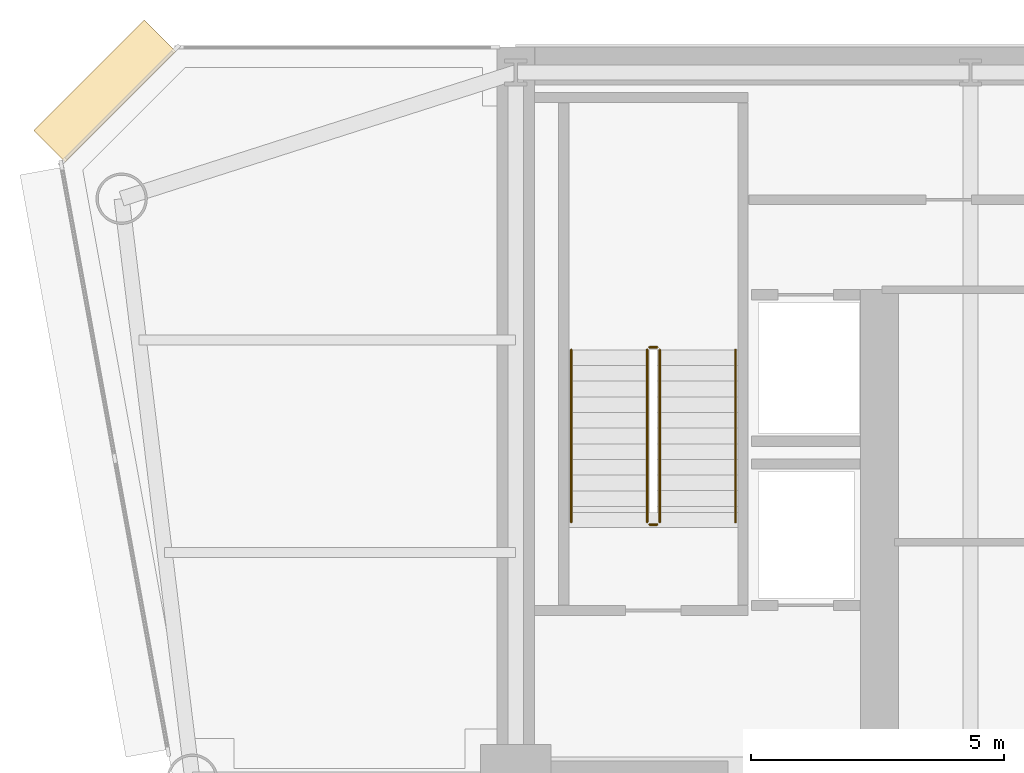
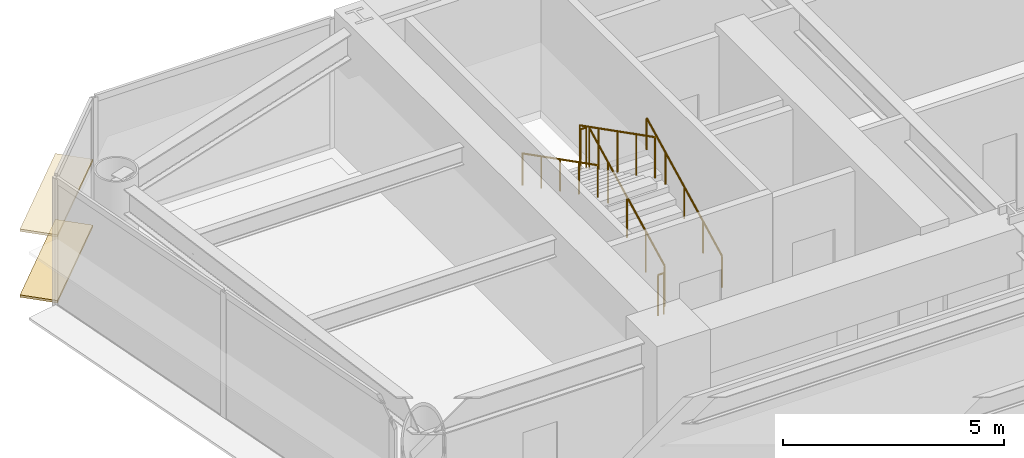
# One storey, part 12 of 14: 6 railings, 2 coverings.
"""IFC4 building model written with IfcOpenShell, lengths in metres."""

from ifc_helpers import new_model, si_unit, direction, frame, origin, origin_2d, place, context, subcontext, project, spatial, rectangle, circle, extrude, source, transform, mapped, material, layer, layer_set, type_object, element, save


model = new_model("IFC4")

# Units and contexts
model_context = context("Model", 3, precision=1e-05, world=origin(), true_north=direction((0.0, 1.0)))
body_context = subcontext(model_context, "Body", "Model", "MODEL_VIEW")
ifc_project = project(units=[si_unit("LENGTHUNIT", "METRE"), si_unit("AREAUNIT", "SQUARE_METRE"), si_unit("VOLUMEUNIT", "CUBIC_METRE"), si_unit("PLANEANGLEUNIT", "RADIAN"), si_unit("MASSUNIT", "GRAM", prefix="KILO")], contexts=[model_context])

# Site, building, storey
site_placement = place(None, origin())
site = spatial("IfcSite", under=ifc_project, at=site_placement, CompositionType="ELEMENT")
building_placement = place(site_placement, origin())
building = spatial("IfcBuilding", under=site, at=building_placement, Name="Vaeldorn Concourse Tower", CompositionType="ELEMENT")
storey_placement = place(building_placement, frame((0.0, 0.0, 118.60009765625)))
storey = spatial("IfcBuildingStorey", under=building, at=storey_placement, Name="L30", CompositionType="ELEMENT", Elevation=118.60009765625)

# Railings
ifc_material = material(Name="Anodised Bronze Aluminium", Category="aluminium")
railing_type_1 = type_object("IfcRailingType", Name="RL-STAIR-GUARD", PredefinedType="GUARDRAIL", material=ifc_material)
railing_1_placement = place(storey_placement, frame((16.85009765625, 41.60009765625, 0.158203125)))
element("IfcRailing", 1, at=railing_1_placement, inside=storey, type_object=railing_type_1, Name="L30 ST-1 stair guard 1", PredefinedType="GUARDRAIL", context=body_context, shape_type="SweptSolid", body=[
    extrude(circle(Radius=0.02392578125, at=origin_2d()), frame((0.0, 0.0, 1.1259765625), z_axis=(0.0, 0.890555807335, 0.454873997962), x_axis=(-1.0, 0.0, 0.0)), (0.0, 0.0, 1.0), 3.828857421875),
    extrude(circle(Radius=0.02099609375, at=origin_2d()), origin(), (0.0, 0.0, 1.0), 1.101806640625),
    extrude(circle(Radius=0.02099609375, at=origin_2d()), frame((0.0, 0.8525390625, 0.435546875)), (0.0, 0.0, 1.0), 1.101806640625),
    extrude(circle(Radius=0.02099609375, at=origin_2d()), frame((0.0, 1.705078125, 0.870849609375)), (0.0, 0.0, 1.0), 1.101806640625),
    extrude(circle(Radius=0.02099609375, at=origin_2d()), frame((0.0, 2.557373046875, 1.30615234375)), (0.0, 0.0, 1.0), 1.101806640625),
    extrude(circle(Radius=0.02099609375, at=origin_2d()), frame((0.0, 3.409912109375, 1.74169921875)), (0.0, 0.0, 1.0), 1.101806640625),
])
railing_2_placement = place(storey_placement, frame((16.800048828125, 45.06005859375, 1.89990234375)))
element("IfcRailing", 2, at=railing_2_placement, inside=storey, type_object=railing_type_1, Name="L30 ST-1 stair guard 2", PredefinedType="GUARDRAIL", context=body_context, shape_type="SweptSolid", body=[
    extrude(circle(Radius=0.02392578125, at=origin_2d()), frame((0.0, 0.0, 1.1259765625), z_axis=(-1.0, 0.0, 0.0), x_axis=(0.0, -1.0, 0.0)), (0.0, 0.0, 1.0), 0.150146484375),
    extrude(circle(Radius=0.02099609375, at=origin_2d()), origin(), (0.0, 0.0, 1.0), 1.101806640625),
    extrude(circle(Radius=0.02099609375, at=origin_2d()), frame((-0.150146484375, 0.0, 0.0)), (0.0, 0.0, 1.0), 1.101806640625),
])
railing_3_placement = place(storey_placement, frame((16.60009765625, 45.010009765625, 2.058349609375)))
element("IfcRailing", 3, at=railing_3_placement, inside=storey, type_object=railing_type_1, Name="L30 ST-1 stair guard 3", PredefinedType="GUARDRAIL", context=body_context, shape_type="SweptSolid", body=[
    extrude(circle(Radius=0.02392578125, at=origin_2d()), frame((0.0, 0.0, 1.1259765625), z_axis=(0.0, -0.890581635807, 0.454823427236), x_axis=(1.0, 0.0, 0.0)), (0.0, 0.0, 1.0), 3.828857421875),
    extrude(circle(Radius=0.02099609375, at=origin_2d()), origin(), (0.0, 0.0, 1.0), 1.101806640625),
    extrude(circle(Radius=0.02099609375, at=origin_2d()), frame((0.0, -0.8525390625, 0.435302734375)), (0.0, 0.0, 1.0), 1.101806640625),
    extrude(circle(Radius=0.02099609375, at=origin_2d()), frame((0.0, -1.705078125, 0.87060546875)), (0.0, 0.0, 1.0), 1.101806640625),
    extrude(circle(Radius=0.02099609375, at=origin_2d()), frame((0.0, -2.557373046875, 1.30615234375)), (0.0, 0.0, 1.0), 1.101806640625),
    extrude(circle(Radius=0.02099609375, at=origin_2d()), frame((0.0, -3.409912109375, 1.741455078125)), (0.0, 0.0, 1.0), 1.101806640625),
])
railing_4_placement = place(storey_placement, frame((16.800048828125, 41.550048828125, 0.0)))
element("IfcRailing", 4, at=railing_4_placement, inside=storey, type_object=railing_type_1, Name="L30 ST-1 stair guard 4", PredefinedType="GUARDRAIL", context=body_context, shape_type="SweptSolid", body=[
    extrude(circle(Radius=0.02392578125, at=origin_2d()), frame((0.0, 0.0, 1.1259765625), z_axis=(-1.0, 0.0, 0.0), x_axis=(0.0, -1.0, 0.0)), (0.0, 0.0, 1.0), 0.150146484375),
    extrude(circle(Radius=0.02099609375, at=origin_2d()), origin(), (0.0, 0.0, 1.0), 1.101806640625),
    extrude(circle(Radius=0.02099609375, at=origin_2d()), frame((-0.150146484375, 0.0, 0.0)), (0.0, 0.0, 1.0), 1.101806640625),
])
railing_type_2 = type_object("IfcRailingType", Name="RL-STAIR-HANDRAIL", PredefinedType="HANDRAIL", material=ifc_material)
railing_5_placement = place(storey_placement, frame((18.35009765625, 41.60009765625, 0.158203125)))
element("IfcRailing", 5, at=railing_5_placement, inside=storey, type_object=railing_type_2, Name="L30 ST-1 stair handrail 1", PredefinedType="HANDRAIL", context=body_context, shape_type="SweptSolid", body=[
    extrude(circle(Radius=0.02392578125, at=origin_2d()), frame((0.0, 0.0, 0.8759765625), z_axis=(0.0, 0.890555807335, 0.454873997962), x_axis=(-1.0, 0.0, 0.0)), (0.0, 0.0, 1.0), 3.828857421875),
    extrude(circle(Radius=0.02099609375, at=origin_2d()), origin(), (0.0, 0.0, 1.0), 0.851806640625),
    extrude(circle(Radius=0.02099609375, at=origin_2d()), frame((0.0, 0.8525390625, 0.435546875)), (0.0, 0.0, 1.0), 0.851806640625),
    extrude(circle(Radius=0.02099609375, at=origin_2d()), frame((0.0, 1.705078125, 0.870849609375)), (0.0, 0.0, 1.0), 0.851806640625),
    extrude(circle(Radius=0.02099609375, at=origin_2d()), frame((0.0, 2.557373046875, 1.30615234375)), (0.0, 0.0, 1.0), 0.851806640625),
    extrude(circle(Radius=0.02099609375, at=origin_2d()), frame((0.0, 3.409912109375, 1.74169921875)), (0.0, 0.0, 1.0), 0.851806640625),
])
railing_6_placement = place(storey_placement, frame((15.10009765625, 45.010009765625, 2.058349609375)))
element("IfcRailing", 6, at=railing_6_placement, inside=storey, type_object=railing_type_2, Name="L30 ST-1 stair handrail 2", PredefinedType="HANDRAIL", context=body_context, shape_type="SweptSolid", body=[
    extrude(circle(Radius=0.02392578125, at=origin_2d()), frame((0.0, 0.0, 0.8759765625), z_axis=(0.0, -0.890581635807, 0.454823427236), x_axis=(1.0, 0.0, 0.0)), (0.0, 0.0, 1.0), 3.828857421875),
    extrude(circle(Radius=0.02099609375, at=origin_2d()), origin(), (0.0, 0.0, 1.0), 0.851806640625),
    extrude(circle(Radius=0.02099609375, at=origin_2d()), frame((0.0, -0.8525390625, 0.435302734375)), (0.0, 0.0, 1.0), 0.851806640625),
    extrude(circle(Radius=0.02099609375, at=origin_2d()), frame((0.0, -1.705078125, 0.87060546875)), (0.0, 0.0, 1.0), 0.851806640625),
    extrude(circle(Radius=0.02099609375, at=origin_2d()), frame((0.0, -2.557373046875, 1.30615234375)), (0.0, 0.0, 1.0), 0.851806640625),
    extrude(circle(Radius=0.02099609375, at=origin_2d()), frame((0.0, -3.409912109375, 1.741455078125)), (0.0, 0.0, 1.0), 0.851806640625),
])

# Coverings
ifc_layer = layer(ifc_material, 0.06494140625)
ifc_layer_set = layer_set([ifc_layer], Name="Anodised Bronze Aluminium")
covering_type = type_object("IfcCoveringType", Name="SD-BRONZE-SUNSHADE", PredefinedType="USERDEFINED", material=ifc_layer_set)
shared_shape = source(origin(), body_context, "Body", "SweptSolid", [
    extrude(rectangle(XDim=3.0927734375, YDim=0.8798828125, at=origin_2d()), origin(), (0.0, 0.0, 1.0), 0.06494140625),
])
for number, where, z_axis, x_axis, name in (
    (7, (5.8671875, 50.1328125, 0.04736328125), (0.0, 0.0, 1.0), (-0.707106781187, -0.707106781187, 0.0), "Horizontal Bronze Sunshade L30-E10.1.1"),
    (8, (5.8671875, 50.1328125, 1.867431640625), (0.0, 0.0, 1.0), (-0.707106781187, -0.707106781187, 0.0), "Horizontal Bronze Sunshade L30-E10.1.2"),
):
    element("IfcCovering", number, at=place(storey_placement, frame(where, z_axis=z_axis, x_axis=x_axis)), inside=storey, type_object=covering_type, Name=name, ObjectType="SUNSHADE", PredefinedType="USERDEFINED", context=body_context, shape_type="MappedRepresentation", body=[
        mapped(shared_shape, transform((0.0, 0.0, 0.0), scale=1.0)),
    ])

save(model, "model.ifc")
